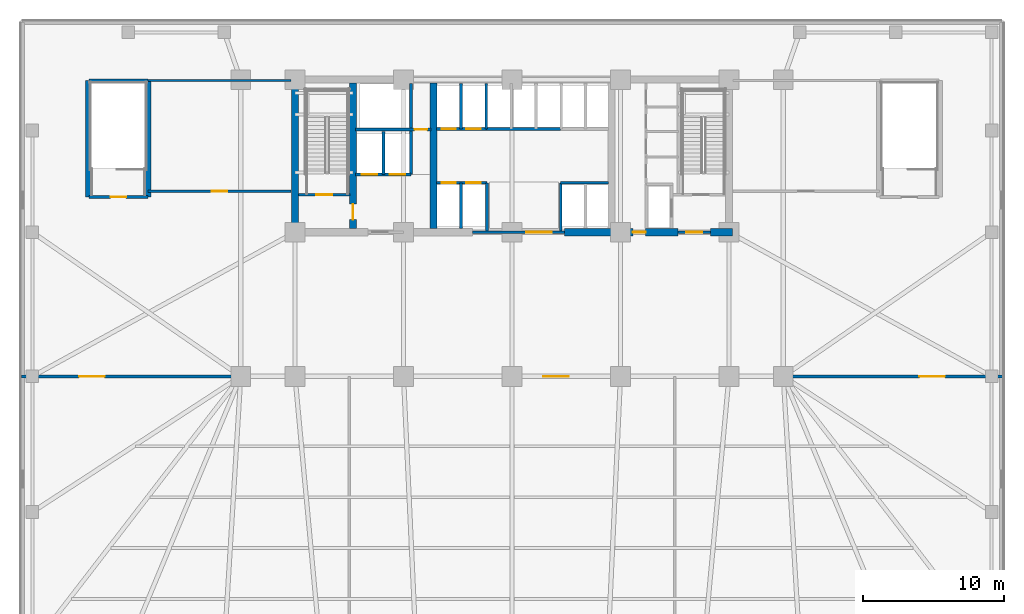
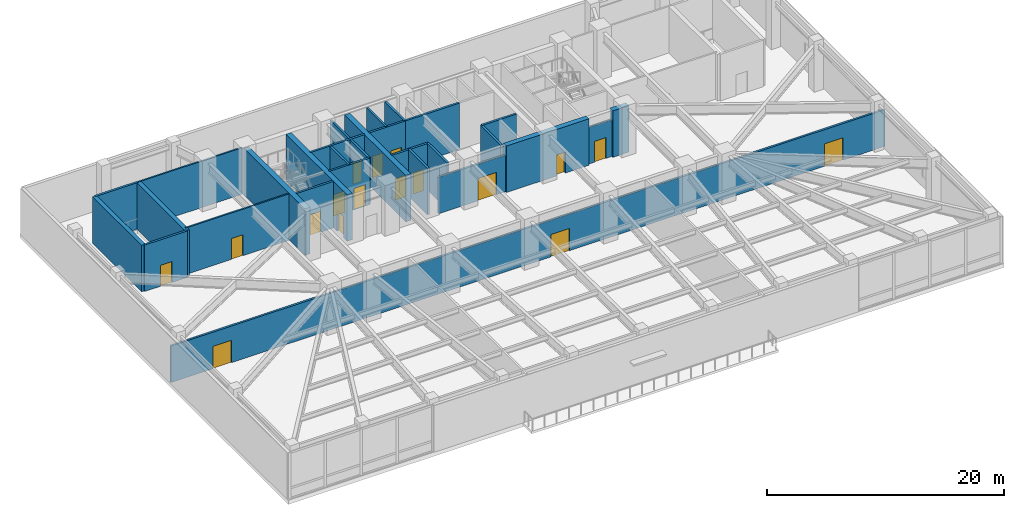
# One storey, part 8 of 15: 28 walls, 17 doors, 17 openings.
"""IFC4 building model written with IfcOpenShell, lengths in metres."""

from ifc_helpers import new_model, si_unit, direction, frame, frame_2d, origin, place, context, subcontext, project, spatial, rectangle, extrude, material, layer, layer_set, type_object, element, fill, save


model = new_model("IFC4")

# Units and contexts
model_context = context("Model", 3, precision=1e-05, world=origin(), true_north=direction((0.0, 1.0)))
body_context = subcontext(model_context, "Body", "Model", "MODEL_VIEW")
ifc_project = project(units=[si_unit("LENGTHUNIT", "METRE"), si_unit("AREAUNIT", "SQUARE_METRE"), si_unit("VOLUMEUNIT", "CUBIC_METRE"), si_unit("PLANEANGLEUNIT", "RADIAN"), si_unit("MASSUNIT", "GRAM", prefix="KILO")], contexts=[model_context])

# Site, building, storey
site_placement = place(None, origin())
site = spatial("IfcSite", under=ifc_project, at=site_placement, CompositionType="ELEMENT")
building_placement = place(site_placement, origin())
building = spatial("IfcBuilding", under=site, at=building_placement, Name="Yelkora Congress Tower", CompositionType="ELEMENT")
storey_placement = place(building_placement, frame((0.0, 0.0, 25.199951171875)))
storey = spatial("IfcBuildingStorey", under=building, at=storey_placement, Name="L05", CompositionType="ELEMENT", Elevation=25.199951171875)

# Walls
ifc_material_1 = material(Name="Concrete C50/60", Category="concrete")
ifc_layer_1 = layer(ifc_material_1, 0.39990234375)
ifc_layer_set_1 = layer_set([ifc_layer_1], Name="Concrete C50/60")
wall_type_1 = type_object("IfcWallType", Name="WALL-CORE-INT-400", PredefinedType="SHEAR", material=ifc_layer_set_1)
for number, where, z_axis, x_axis, name in (
    (1, (8.39990234375, 37.89990234375, 0.0), (0.0, 0.0, 1.0), (0.0, 1.0, 0.0), "L05 STP1 West Shear Wall"),
    (2, (12.659912109375, 37.89990234375, 0.0), (0.0, 0.0, 1.0), (0.0, 1.0, 0.0), "L05 STP1 East Shear Wall"),
):
    element("IfcWall", number, at=place(storey_placement, frame(where, z_axis=z_axis, x_axis=x_axis)), inside=storey, type_object=wall_type_1, Name=name, PredefinedType="SHEAR", context=body_context, shape_type="SweptSolid", body=[
        extrude(rectangle(XDim=8.25, YDim=0.39990234375, at=frame_2d((4.125, 0.0))), origin(), (0.0, 0.0, 1.0), 4.780029296875),
    ])

# Wall, opening, door
ifc_material_2 = material(Name="Concrete C60/75", Category="concrete")
ifc_layer_2 = layer(ifc_material_2, 0.5)
ifc_layer_set_2 = layer_set([ifc_layer_2], Name="Concrete C60/75")
wall_type_2 = type_object("IfcWallType", Name="WALL-CORE-INT-500", PredefinedType="SHEAR", material=ifc_layer_set_2)
wall_1_placement = place(storey_placement, frame((42.10009765625, 35.39990234375, 0.0), z_axis=(0.0, 0.0, 1.0), x_axis=(1.0, 0.0, 0.0)))
wall_1 = element("IfcWall", 3, at=wall_1_placement, inside=storey, type_object=wall_type_2, Name="L05 Rear Core South-East Shear Wall A", PredefinedType="SHEAR", context=body_context, shape_type="SweptSolid", body=[
    extrude(rectangle(XDim=8.0498046875, YDim=0.5, at=frame_2d((4.02490234375, 0.0))), origin(), (0.0, 0.0, 1.0), 4.780029296875),
])
opening_1_placement = place(wall_1_placement, frame((4.85009765625, 0.0, 0.0)))
opening_1 = element("IfcOpeningElement", 4, at=opening_1_placement, cuts=wall_1, Name="Opening DR-090F6", PredefinedType="OPENING", context=body_context, shape_type="SweptSolid", body=[
    extrude(rectangle(XDim=0.89990234375, YDim=2.14990234375, at=frame_2d((0.449951171875, 1.074951171875))), frame((0.0, 0.260009765625, 0.0), z_axis=(0.0, -1.0, 0.0), x_axis=(1.0, 0.0, 0.0)), (0.0, 0.0, 1.0), 0.52001953125),
])
ifc_material_3 = material(Name="Painted steel riser fire door leaf", Category="steel")
door_type_1 = type_object("IfcDoorType", Name="DOOR-FD60-900", OperationType="NOTDEFINED", PredefinedType="DOOR", material=ifc_material_3)
door_1_placement = place(opening_1_placement, origin())
door_1 = element("IfcDoor", 5, at=door_1_placement, inside=storey, type_object=door_type_1, Name="L05 Core Washroom Lobby Door", OperationType="SINGLE_SWING_RIGHT", OverallHeight=2.14990234375, OverallWidth=0.89990234375, PredefinedType="DOOR", context=body_context, shape_type="SweptSolid", body=[
    extrude(rectangle(XDim=0.89990234375, YDim=2.14990234375, at=frame_2d((0.449951171875, 1.074951171875))), frame((0.0, 0.02490234375, 0.0), z_axis=(0.0, -1.0, 0.0), x_axis=(1.0, 0.0, 0.0)), (0.0, 0.0, 1.0), 0.050048828125),
])
fill(opening_1, door_1)

# Walls
wall_2_placement = place(storey_placement, frame((52.449951171875, 35.39990234375, 0.0), z_axis=(0.0, 0.0, 1.0), x_axis=(1.0, 0.0, 0.0)))
element("IfcWall", 6, at=wall_2_placement, inside=storey, type_object=wall_type_2, Name="L05 Rear Core South-East Shear Wall B", PredefinedType="SHEAR", context=body_context, shape_type="SweptSolid", body=[
    extrude(rectangle(XDim=1.56005859375, YDim=0.5, at=frame_2d((0.780029296875, 0.0))), origin(), (0.0, 0.0, 1.0), 4.780029296875),
])
wall_3_placement = place(storey_placement, frame((23.0400390625, 35.64990234375, 0.0), z_axis=(0.0, 0.0, 1.0), x_axis=(0.0, 1.0, 0.0)))
element("IfcWall", 7, at=wall_3_placement, inside=storey, type_object=wall_type_2, Name="L05 Rear Core Cross Shear Wall W", PredefinedType="SHEAR", context=body_context, shape_type="SweptSolid", body=[
    extrude(rectangle(XDim=10.300048828125, YDim=0.5, at=frame_2d((5.14990234375, 0.0))), origin(), (0.0, 0.0, 1.0), 4.780029296875),
])

# Wall, opening, door
wall_4_placement = place(storey_placement, frame((27.14990234375, 35.64990234375, 0.0), z_axis=(0.0, 0.0, 1.0), x_axis=(0.0, 1.0, 0.0)))
wall_4 = element("IfcWall", 8, at=wall_4_placement, inside=storey, type_object=wall_type_2, Name="L05 Rear Core Cross Shear Wall C1", PredefinedType="SHEAR", context=body_context, shape_type="SweptSolid", body=[
    extrude(rectangle(XDim=10.300048828125, YDim=0.5, at=frame_2d((5.14990234375, 0.0))), origin(), (0.0, 0.0, 1.0), 4.780029296875),
])
opening_2_placement = place(wall_4_placement, frame((0.64990234375, 0.0, 0.0)))
opening_2 = element("IfcOpeningElement", 9, at=opening_2_placement, cuts=wall_4, Name="Opening DR-110F9", PredefinedType="OPENING", context=body_context, shape_type="SweptSolid", body=[
    extrude(rectangle(XDim=1.10009765625, YDim=2.14990234375, at=frame_2d((0.550048828125, 1.074951171875))), frame((0.0, 0.260009765625, 0.0), z_axis=(0.0, -1.0, 0.0), x_axis=(1.0, 0.0, 0.0)), (0.0, 0.0, 1.0), 0.52001953125),
])
ifc_material_4 = material(Name="Galvanised steel fire door leaf", Category="steel")
door_type_2 = type_object("IfcDoorType", Name="DOOR-FD90-1100", OperationType="NOTDEFINED", PredefinedType="DOOR", material=ifc_material_4)
door_2_placement = place(opening_2_placement, origin())
door_2 = element("IfcDoor", 10, at=door_2_placement, inside=storey, type_object=door_type_2, Name="L05 Firefighting Stair Transfer Door", OperationType="SINGLE_SWING_LEFT", OverallHeight=2.14990234375, OverallWidth=1.10009765625, PredefinedType="DOOR", context=body_context, shape_type="SweptSolid", body=[
    extrude(rectangle(XDim=1.10009765625, YDim=2.14990234375, at=frame_2d((0.550048828125, 1.074951171875))), frame((0.0, 0.02490234375, 0.0), z_axis=(0.0, -1.0, 0.0), x_axis=(1.0, 0.0, 0.0)), (0.0, 0.0, 1.0), 0.050048828125),
])
fill(opening_2, door_2)

# Wall
wall_5_placement = place(storey_placement, frame((32.85009765625, 35.64990234375, 0.0), z_axis=(0.0, 0.0, 1.0), x_axis=(0.0, 1.0, 0.0)))
element("IfcWall", 11, at=wall_5_placement, inside=storey, type_object=wall_type_2, Name="L05 Rear Core Cross Shear Wall C2", PredefinedType="SHEAR", context=body_context, shape_type="SweptSolid", body=[
    extrude(rectangle(XDim=10.300048828125, YDim=0.5, at=frame_2d((5.14990234375, 0.0))), origin(), (0.0, 0.0, 1.0), 4.780029296875),
])

# Wall, opening, door
ifc_material_5 = material(Name="Acoustic metal-stud gypsum partition", Category="gypsum")
ifc_layer_3 = layer(ifc_material_5, 0.14990234375)
ifc_layer_set_3 = layer_set([ifc_layer_3], Name="Acoustic metal-stud gypsum partition")
wall_type_3 = type_object("IfcWallType", Name="WALL-INT-150-NR", PredefinedType="PARTITIONING", material=ifc_layer_set_3)
wall_6_placement = place(storey_placement, frame((12.64990234375, 38.300048828125, 0.0), z_axis=(0.0, 0.0, 1.0), x_axis=(1.0, 0.0, 0.0)))
wall_6 = element("IfcWall", 12, at=wall_6_placement, inside=storey, type_object=wall_type_3, Name="L05 Partition Wall 36", PredefinedType="PARTITIONING", context=body_context, shape_type="SweptSolid", body=[
    extrude(rectangle(XDim=10.10009765625, YDim=0.14990234375, at=frame_2d((5.050048828125, 0.0))), origin(), (0.0, 0.0, 1.0), 4.780029296875),
])
opening_3_placement = place(wall_6_placement, frame((4.5, 0.0, 0.0)))
opening_3 = element("IfcOpeningElement", 13, at=opening_3_placement, cuts=wall_6, Name="Opening DR-110N", PredefinedType="OPENING", context=body_context, shape_type="SweptSolid", body=[
    extrude(rectangle(XDim=1.10009765625, YDim=2.14990234375, at=frame_2d((0.550048828125, 1.074951171875))), frame((0.0, 0.0849609375, 0.0), z_axis=(0.0, -1.0, 0.0), x_axis=(1.0, 0.0, 0.0)), (0.0, 0.0, 1.0), 0.169921875),
])
ifc_material_6 = material(Name="Solid-core Anatolian oak veneer door", Category="wood")
door_type_3 = type_object("IfcDoorType", Name="DOOR-INT-1100", OperationType="NOTDEFINED", PredefinedType="DOOR", material=ifc_material_6)
door_3_placement = place(opening_3_placement, origin())
door_3 = element("IfcDoor", 14, at=door_3_placement, inside=storey, type_object=door_type_3, Name="L05 Interior Door 20", OperationType="SINGLE_SWING_RIGHT", OverallHeight=2.14990234375, OverallWidth=1.10009765625, PredefinedType="DOOR", context=body_context, shape_type="SweptSolid", body=[
    extrude(rectangle(XDim=1.10009765625, YDim=2.14990234375, at=frame_2d((0.550048828125, 1.074951171875))), frame((0.0, 0.02490234375, 0.0), z_axis=(0.0, -1.0, 0.0), x_axis=(1.0, 0.0, 0.0)), (0.0, 0.0, 1.0), 0.050048828125),
])
fill(opening_3, door_3)

# Wall
wall_7_placement = place(storey_placement, frame((12.64990234375, 46.14990234375, 0.0), z_axis=(0.0, 0.0, 1.0), x_axis=(1.0, 0.0, 0.0)))
element("IfcWall", 15, at=wall_7_placement, inside=storey, type_object=wall_type_3, Name="L05 Partition Wall 37", PredefinedType="PARTITIONING", context=body_context, shape_type="SweptSolid", body=[
    extrude(rectangle(XDim=10.10009765625, YDim=0.14990234375, at=frame_2d((5.050048828125, 0.0))), origin(), (0.0, 0.0, 1.0), 4.780029296875),
])

# Wall, opening, door
ifc_material_7 = material(Name="Autoclaved aerated concrete blockwork", Category="masonry")
ifc_layer_4 = layer(ifc_material_7, 0.199951171875)
ifc_layer_set_4 = layer_set([ifc_layer_4], Name="Autoclaved aerated concrete blockwork")
wall_type_4 = type_object("IfcWallType", Name="WALL-INT-200-R120", PredefinedType="PARTITIONING", material=ifc_layer_set_4)
wall_8_placement = place(storey_placement, frame((23.300048828125, 38.050048828125, 0.0), z_axis=(0.0, 0.0, 1.0), x_axis=(1.0, 0.0, 0.0)))
wall_8 = element("IfcWall", 16, at=wall_8_placement, inside=storey, type_object=wall_type_4, Name="L05 Stair ST-01 Enclosure Wall", PredefinedType="PARTITIONING", context=body_context, shape_type="SweptSolid", body=[
    extrude(rectangle(XDim=3.619873046875, YDim=0.199951171875, at=frame_2d((1.81005859375, 0.0))), origin(), (0.0, 0.0, 1.0), 4.780029296875),
])
opening_4_placement = place(wall_8_placement, frame((1.260009765625, 0.0, 0.0)))
opening_4 = element("IfcOpeningElement", 17, at=opening_4_placement, cuts=wall_8, Name="Opening DR-110F9", PredefinedType="OPENING", context=body_context, shape_type="SweptSolid", body=[
    extrude(rectangle(XDim=1.10009765625, YDim=2.14990234375, at=frame_2d((0.550048828125, 1.074951171875))), frame((0.0, 0.10986328125, 0.0), z_axis=(0.0, -1.0, 0.0), x_axis=(1.0, 0.0, 0.0)), (0.0, 0.0, 1.0), 0.219970703125),
])
door_4_placement = place(opening_4_placement, origin())
door_4 = element("IfcDoor", 18, at=door_4_placement, inside=storey, type_object=door_type_2, Name="L05 Stair ST-01 Entry Door", OperationType="SINGLE_SWING_LEFT", OverallHeight=2.14990234375, OverallWidth=1.10009765625, PredefinedType="DOOR", context=body_context, shape_type="SweptSolid", body=[
    extrude(rectangle(XDim=1.10009765625, YDim=2.14990234375, at=frame_2d((0.550048828125, 1.074951171875))), frame((0.0, 0.02490234375, 0.0), z_axis=(0.0, -1.0, 0.0), x_axis=(1.0, 0.0, 0.0)), (0.0, 0.0, 1.0), 0.050048828125),
])
fill(opening_4, door_4)

# Wall, openings, doors
wall_9_placement = place(storey_placement, frame((27.320068359375, 39.47998046875, 0.0), z_axis=(0.0, 0.0, 1.0), x_axis=(1.0, 0.0, 0.0)))
wall_9 = element("IfcWall", 19, at=wall_9_placement, inside=storey, type_object=wall_type_4, Name="L05 Firefighting Lift Front Wall", PredefinedType="PARTITIONING", context=body_context, shape_type="SweptSolid", body=[
    extrude(rectangle(XDim=3.93994140625, YDim=0.199951171875, at=frame_2d((1.969970703125, 0.0))), origin(), (0.0, 0.0, 1.0), 4.780029296875),
])
opening_5_placement = place(wall_9_placement, frame((0.449951171875, 0.0, 0.0)))
opening_5 = element("IfcOpeningElement", 20, at=opening_5_placement, cuts=wall_9, Name="Opening LD-FF11", PredefinedType="OPENING", context=body_context, shape_type="SweptSolid", body=[
    extrude(rectangle(XDim=1.10009765625, YDim=2.199951171875, at=frame_2d((0.550048828125, 1.10009765625))), frame((0.0, 0.10986328125, 0.0), z_axis=(0.0, -1.0, 0.0), x_axis=(1.0, 0.0, 0.0)), (0.0, 0.0, 1.0), 0.219970703125),
])
opening_6_placement = place(wall_9_placement, frame((2.409912109375, 0.0, 0.0)))
opening_6 = element("IfcOpeningElement", 21, at=opening_6_placement, cuts=wall_9, Name="Opening LD-FF11", PredefinedType="OPENING", context=body_context, shape_type="SweptSolid", body=[
    extrude(rectangle(XDim=1.10009765625, YDim=2.199951171875, at=frame_2d((0.550048828125, 1.10009765625))), frame((0.0, 0.10986328125, 0.0), z_axis=(0.0, -1.0, 0.0), x_axis=(1.0, 0.0, 0.0)), (0.0, 0.0, 1.0), 0.219970703125),
])
ifc_material_8 = material(Name="Brushed stainless steel 316L landing door", Category="steel")
door_type_4 = type_object("IfcDoorType", Name="DOOR-LIFT-FF-1100", OperationType="DOUBLE_DOOR_SLIDING", PredefinedType="DOOR", material=ifc_material_8)
door_5_placement = place(opening_5_placement, origin())
door_5 = element("IfcDoor", 22, at=door_5_placement, inside=storey, type_object=door_type_4, Name="Lift Landing Door LF-FF1 L05", OperationType="DOUBLE_DOOR_SLIDING", OverallHeight=2.199951171875, OverallWidth=1.10009765625, PredefinedType="DOOR", context=body_context, shape_type="SweptSolid", body=[
    extrude(rectangle(XDim=1.10009765625, YDim=2.199951171875, at=frame_2d((0.550048828125, 1.10009765625))), frame((0.0, 0.02490234375, 0.0), z_axis=(0.0, -1.0, 0.0), x_axis=(1.0, 0.0, 0.0)), (0.0, 0.0, 1.0), 0.050048828125),
])
fill(opening_5, door_5)
door_6_placement = place(opening_6_placement, origin())
door_6 = element("IfcDoor", 23, at=door_6_placement, inside=storey, type_object=door_type_4, Name="Lift Landing Door LF-FF2 L05", OperationType="DOUBLE_DOOR_SLIDING", OverallHeight=2.199951171875, OverallWidth=1.10009765625, PredefinedType="DOOR", context=body_context, shape_type="SweptSolid", body=[
    extrude(rectangle(XDim=1.10009765625, YDim=2.199951171875, at=frame_2d((0.550048828125, 1.10009765625))), frame((0.0, 0.02490234375, 0.0), z_axis=(0.0, -1.0, 0.0), x_axis=(1.0, 0.0, 0.0)), (0.0, 0.0, 1.0), 0.050048828125),
])
fill(opening_6, door_6)

# Walls
wall_10_placement = place(storey_placement, frame((29.300048828125, 39.47998046875, 0.0), z_axis=(0.0, 0.0, 1.0), x_axis=(0.0, 1.0, 0.0)))
element("IfcWall", 24, at=wall_10_placement, inside=storey, type_object=wall_type_4, Name="L05 Partition Wall 4", PredefinedType="PARTITIONING", context=body_context, shape_type="SweptSolid", body=[
    extrude(rectangle(XDim=3.070068359375, YDim=0.199951171875, at=frame_2d((1.53515625, 0.0))), origin(), (0.0, 0.0, 1.0), 4.780029296875),
])
wall_11_placement = place(storey_placement, frame((31.260009765625, 39.47998046875, 0.0), z_axis=(0.0, 0.0, 1.0), x_axis=(0.0, 1.0, 0.0)))
element("IfcWall", 25, at=wall_11_placement, inside=storey, type_object=wall_type_4, Name="L05 Partition Wall 5", PredefinedType="PARTITIONING", context=body_context, shape_type="SweptSolid", body=[
    extrude(rectangle(XDim=6.43994140625, YDim=0.199951171875, at=frame_2d((3.219970703125, 0.0))), origin(), (0.0, 0.0, 1.0), 4.780029296875),
])

# Wall, opening, door
wall_12_placement = place(storey_placement, frame((27.320068359375, 42.679931640625, 0.0), z_axis=(0.0, 0.0, 1.0), x_axis=(1.0, 0.0, 0.0)))
wall_12 = element("IfcWall", 26, at=wall_12_placement, inside=storey, type_object=wall_type_4, Name="L05 Smoke Riser South Wall", PredefinedType="PARTITIONING", context=body_context, shape_type="SweptSolid", body=[
    extrude(rectangle(XDim=5.329833984375, YDim=0.199951171875, at=frame_2d((2.6650390625, 0.0))), origin(), (0.0, 0.0, 1.0), 4.780029296875),
])
opening_7_placement = place(wall_12_placement, frame((4.179931640625, 0.0, 0.0)))
opening_7 = element("IfcOpeningElement", 27, at=opening_7_placement, cuts=wall_12, Name="Opening DR-090F6", PredefinedType="OPENING", context=body_context, shape_type="SweptSolid", body=[
    extrude(rectangle(XDim=0.89990234375, YDim=2.14990234375, at=frame_2d((0.449951171875, 1.074951171875))), frame((0.0, 0.10986328125, 0.0), z_axis=(0.0, -1.0, 0.0), x_axis=(1.0, 0.0, 0.0)), (0.0, 0.0, 1.0), 0.219970703125),
])
door_7_placement = place(opening_7_placement, origin())
door_7 = element("IfcDoor", 28, at=door_7_placement, inside=storey, type_object=door_type_1, Name="L05 Riser Access Door", OperationType="SINGLE_SWING_LEFT", OverallHeight=2.14990234375, OverallWidth=0.89990234375, PredefinedType="DOOR", context=body_context, shape_type="SweptSolid", body=[
    extrude(rectangle(XDim=0.89990234375, YDim=2.14990234375, at=frame_2d((0.449951171875, 1.074951171875))), frame((0.0, 0.02490234375, 0.0), z_axis=(0.0, -1.0, 0.0), x_axis=(1.0, 0.0, 0.0)), (0.0, 0.0, 1.0), 0.050048828125),
])
fill(opening_7, door_7)

wall_13_placement = place(storey_placement, frame((35.60009765625, 35.39990234375, 0.0), z_axis=(0.0, 0.0, 1.0), x_axis=(1.0, 0.0, 0.0)))
wall_13 = element("IfcWall", 29, at=wall_13_placement, inside=storey, type_object=wall_type_4, Name="L05 Main Lift Lobby South Portal Wall", PredefinedType="PARTITIONING", context=body_context, shape_type="SweptSolid", body=[
    extrude(rectangle(XDim=6.5, YDim=0.199951171875, at=frame_2d((3.25, 0.0))), origin(), (0.0, 0.0, 1.0), 3.76708984375),
])
opening_8_placement = place(wall_13_placement, frame((3.800048828125, 0.0, 0.0)))
opening_8 = element("IfcOpeningElement", 30, at=opening_8_placement, cuts=wall_13, Name="Opening DR-180D", PredefinedType="OPENING", context=body_context, shape_type="SweptSolid", body=[
    extrude(rectangle(XDim=1.800048828125, YDim=2.300048828125, at=frame_2d((0.89990234375, 1.14990234375))), frame((0.0, 0.10986328125, 0.0), z_axis=(0.0, -1.0, 0.0), x_axis=(1.0, 0.0, 0.0)), (0.0, 0.0, 1.0), 0.219970703125),
])
ifc_material_9 = material(Name="Acoustic double congress hall doors", Category="wood")
door_type_5 = type_object("IfcDoorType", Name="DOOR-DBL-1800", OperationType="DOUBLE_DOOR_SINGLE_SWING", PredefinedType="DOOR", material=ifc_material_9)
door_8_placement = place(opening_8_placement, origin())
door_8 = element("IfcDoor", 31, at=door_8_placement, inside=storey, type_object=door_type_5, Name="L05 Main Lift Lobby Portal Door", OperationType="DOUBLE_DOOR_SINGLE_SWING", OverallHeight=2.300048828125, OverallWidth=1.800048828125, PredefinedType="DOOR", context=body_context, shape_type="SweptSolid", body=[
    extrude(rectangle(XDim=1.800048828125, YDim=2.300048828125, at=frame_2d((0.89990234375, 1.14990234375))), frame((0.0, 0.02490234375, 0.0), z_axis=(0.0, -1.0, 0.0), x_axis=(1.0, 0.0, 0.0)), (0.0, 0.0, 1.0), 0.050048828125),
])
fill(opening_8, door_8)

# Wall
wall_14_placement = place(storey_placement, frame((36.60009765625, 42.699951171875, 0.0), z_axis=(0.0, 0.0, 1.0), x_axis=(1.0, 0.0, 0.0)))
element("IfcWall", 32, at=wall_14_placement, inside=storey, type_object=wall_type_4, Name="L05 Partition Wall 8", PredefinedType="PARTITIONING", context=body_context, shape_type="SweptSolid", body=[
    extrude(rectangle(XDim=5.25, YDim=0.199951171875, at=frame_2d((2.625, 0.0))), origin(), (0.0, 0.0, 1.0), 4.780029296875),
])

# Wall, openings, doors
wall_15_placement = place(storey_placement, frame((33.050048828125, 38.89990234375, 0.0), z_axis=(0.0, 0.0, 1.0), x_axis=(1.0, 0.0, 0.0)))
wall_15 = element("IfcWall", 33, at=wall_15_placement, inside=storey, type_object=wall_type_4, Name="L05 Partition Wall 11", PredefinedType="PARTITIONING", context=body_context, shape_type="SweptSolid", body=[
    extrude(rectangle(XDim=3.570068359375, YDim=0.199951171875, at=frame_2d((1.78515625, 0.0))), origin(), (0.0, 0.0, 1.0), 4.780029296875),
])
opening_9_placement = place(wall_15_placement, frame((0.375, 0.0, 0.0)))
opening_9 = element("IfcOpeningElement", 34, at=opening_9_placement, cuts=wall_15, Name="Opening LD-PS10", PredefinedType="OPENING", context=body_context, shape_type="SweptSolid", body=[
    extrude(rectangle(XDim=1.0, YDim=2.199951171875, at=frame_2d((0.5, 1.10009765625))), frame((0.0, 0.10986328125, 0.0), z_axis=(0.0, -1.0, 0.0), x_axis=(1.0, 0.0, 0.0)), (0.0, 0.0, 1.0), 0.219970703125),
])
opening_10_placement = place(wall_15_placement, frame((2.125, 0.0, 0.0)))
opening_10 = element("IfcOpeningElement", 35, at=opening_10_placement, cuts=wall_15, Name="Opening LD-PS10", PredefinedType="OPENING", context=body_context, shape_type="SweptSolid", body=[
    extrude(rectangle(XDim=1.0, YDim=2.199951171875, at=frame_2d((0.5, 1.10009765625))), frame((0.0, 0.10986328125, 0.0), z_axis=(0.0, -1.0, 0.0), x_axis=(1.0, 0.0, 0.0)), (0.0, 0.0, 1.0), 0.219970703125),
])
ifc_material_10 = material(Name="Champagne stainless steel landing door", Category="steel")
door_type_6 = type_object("IfcDoorType", Name="DOOR-LIFT-PAS-1000", OperationType="DOUBLE_DOOR_SLIDING", PredefinedType="DOOR", material=ifc_material_10)
door_9_placement = place(opening_9_placement, origin())
door_9 = element("IfcDoor", 36, at=door_9_placement, inside=storey, type_object=door_type_6, Name="Lift Landing Door LF-P1 L05", OperationType="DOUBLE_DOOR_SLIDING", OverallHeight=2.199951171875, OverallWidth=1.0, PredefinedType="DOOR", context=body_context, shape_type="SweptSolid", body=[
    extrude(rectangle(XDim=1.0, YDim=2.199951171875, at=frame_2d((0.5, 1.10009765625))), frame((0.0, 0.02490234375, 0.0), z_axis=(0.0, -1.0, 0.0), x_axis=(1.0, 0.0, 0.0)), (0.0, 0.0, 1.0), 0.050048828125),
])
fill(opening_9, door_9)
door_10_placement = place(opening_10_placement, origin())
door_10 = element("IfcDoor", 37, at=door_10_placement, inside=storey, type_object=door_type_6, Name="Lift Landing Door LF-P2 L05", OperationType="DOUBLE_DOOR_SLIDING", OverallHeight=2.199951171875, OverallWidth=1.0, PredefinedType="DOOR", context=body_context, shape_type="SweptSolid", body=[
    extrude(rectangle(XDim=1.0, YDim=2.199951171875, at=frame_2d((0.5, 1.10009765625))), frame((0.0, 0.02490234375, 0.0), z_axis=(0.0, -1.0, 0.0), x_axis=(1.0, 0.0, 0.0)), (0.0, 0.0, 1.0), 0.050048828125),
])
fill(opening_10, door_10)

wall_16_placement = place(storey_placement, frame((33.050048828125, 42.699951171875, 0.0), z_axis=(0.0, 0.0, 1.0), x_axis=(1.0, 0.0, 0.0)))
wall_16 = element("IfcWall", 38, at=wall_16_placement, inside=storey, type_object=wall_type_4, Name="L05 Partition Wall 12", PredefinedType="PARTITIONING", context=body_context, shape_type="SweptSolid", body=[
    extrude(rectangle(XDim=3.570068359375, YDim=0.199951171875, at=frame_2d((1.78515625, 0.0))), origin(), (0.0, 0.0, 1.0), 4.780029296875),
])
opening_11_placement = place(wall_16_placement, frame((0.375, 0.0, 0.0)))
opening_11 = element("IfcOpeningElement", 39, at=opening_11_placement, cuts=wall_16, Name="Opening LD-PS10", PredefinedType="OPENING", context=body_context, shape_type="SweptSolid", body=[
    extrude(rectangle(XDim=1.0, YDim=2.199951171875, at=frame_2d((0.5, 1.10009765625))), frame((0.0, 0.10986328125, 0.0), z_axis=(0.0, -1.0, 0.0), x_axis=(1.0, 0.0, 0.0)), (0.0, 0.0, 1.0), 0.219970703125),
])
opening_12_placement = place(wall_16_placement, frame((2.125, 0.0, 0.0)))
opening_12 = element("IfcOpeningElement", 40, at=opening_12_placement, cuts=wall_16, Name="Opening LD-PS10", PredefinedType="OPENING", context=body_context, shape_type="SweptSolid", body=[
    extrude(rectangle(XDim=1.0, YDim=2.199951171875, at=frame_2d((0.5, 1.10009765625))), frame((0.0, 0.10986328125, 0.0), z_axis=(0.0, -1.0, 0.0), x_axis=(1.0, 0.0, 0.0)), (0.0, 0.0, 1.0), 0.219970703125),
])
door_11_placement = place(opening_11_placement, origin())
door_11 = element("IfcDoor", 41, at=door_11_placement, inside=storey, type_object=door_type_6, Name="Lift Landing Door LF-P3 L05", OperationType="DOUBLE_DOOR_SLIDING", OverallHeight=2.199951171875, OverallWidth=1.0, PredefinedType="DOOR", context=body_context, shape_type="SweptSolid", body=[
    extrude(rectangle(XDim=1.0, YDim=2.199951171875, at=frame_2d((0.5, 1.10009765625))), frame((0.0, 0.02490234375, 0.0), z_axis=(0.0, -1.0, 0.0), x_axis=(1.0, 0.0, 0.0)), (0.0, 0.0, 1.0), 0.050048828125),
])
fill(opening_11, door_11)
door_12_placement = place(opening_12_placement, origin())
door_12 = element("IfcDoor", 42, at=door_12_placement, inside=storey, type_object=door_type_6, Name="Lift Landing Door LF-P4 L05", OperationType="DOUBLE_DOOR_SLIDING", OverallHeight=2.199951171875, OverallWidth=1.0, PredefinedType="DOOR", context=body_context, shape_type="SweptSolid", body=[
    extrude(rectangle(XDim=1.0, YDim=2.199951171875, at=frame_2d((0.5, 1.10009765625))), frame((0.0, 0.02490234375, 0.0), z_axis=(0.0, -1.0, 0.0), x_axis=(1.0, 0.0, 0.0)), (0.0, 0.0, 1.0), 0.050048828125),
])
fill(opening_12, door_12)

# Walls
wall_17_placement = place(storey_placement, frame((34.800048828125, 35.64990234375, 0.0), z_axis=(0.0, 0.0, 1.0), x_axis=(0.0, 1.0, 0.0)))
element("IfcWall", 43, at=wall_17_placement, inside=storey, type_object=wall_type_4, Name="L05 Partition Wall 13", PredefinedType="PARTITIONING", context=body_context, shape_type="SweptSolid", body=[
    extrude(rectangle(XDim=3.25, YDim=0.199951171875, at=frame_2d((1.625, 0.0))), origin(), (0.0, 0.0, 1.0), 4.780029296875),
])
wall_18_placement = place(storey_placement, frame((34.800048828125, 42.699951171875, 0.0), z_axis=(0.0, 0.0, 1.0), x_axis=(0.0, 1.0, 0.0)))
element("IfcWall", 44, at=wall_18_placement, inside=storey, type_object=wall_type_4, Name="L05 Partition Wall 14", PredefinedType="PARTITIONING", context=body_context, shape_type="SweptSolid", body=[
    extrude(rectangle(XDim=3.219970703125, YDim=0.199951171875, at=frame_2d((1.60986328125, 0.0))), origin(), (0.0, 0.0, 1.0), 4.780029296875),
])
wall_19_placement = place(storey_placement, frame((36.6201171875, 35.5, 0.0), z_axis=(0.0, 0.0, 1.0), x_axis=(0.0, 1.0, 0.0)))
element("IfcWall", 45, at=wall_19_placement, inside=storey, type_object=wall_type_4, Name="L05 Partition Wall 15", PredefinedType="PARTITIONING", context=body_context, shape_type="SweptSolid", body=[
    extrude(rectangle(XDim=3.39990234375, YDim=0.199951171875, at=frame_2d((1.699951171875, 0.0))), origin(), (0.0, 0.0, 1.0), 4.780029296875),
])
wall_20_placement = place(storey_placement, frame((36.580078125, 42.699951171875, 0.0), z_axis=(0.0, 0.0, 1.0), x_axis=(0.0, 1.0, 0.0)))
element("IfcWall", 46, at=wall_20_placement, inside=storey, type_object=wall_type_4, Name="L05 Partition Wall 16", PredefinedType="PARTITIONING", context=body_context, shape_type="SweptSolid", body=[
    extrude(rectangle(XDim=3.219970703125, YDim=0.199951171875, at=frame_2d((1.60986328125, 0.0))), origin(), (0.0, 0.0, 1.0), 4.780029296875),
])
wall_21_placement = place(storey_placement, frame((41.85009765625, 38.89990234375, 0.0), z_axis=(0.0, 0.0, 1.0), x_axis=(1.0, 0.0, 0.0)))
element("IfcWall", 47, at=wall_21_placement, inside=storey, type_object=wall_type_4, Name="L05 Partition Wall 17", PredefinedType="PARTITIONING", context=body_context, shape_type="SweptSolid", body=[
    extrude(rectangle(XDim=3.369873046875, YDim=0.199951171875, at=frame_2d((1.68505859375, 0.0))), origin(), (0.0, 0.0, 1.0), 4.780029296875),
])
wall_22_placement = place(storey_placement, frame((41.85009765625, 35.5, 0.0), z_axis=(0.0, 0.0, 1.0), x_axis=(0.0, 1.0, 0.0)))
element("IfcWall", 48, at=wall_22_placement, inside=storey, type_object=wall_type_4, Name="L05 Partition Wall 21", PredefinedType="PARTITIONING", context=body_context, shape_type="SweptSolid", body=[
    extrude(rectangle(XDim=3.39990234375, YDim=0.199951171875, at=frame_2d((1.699951171875, 0.0))), origin(), (0.0, 0.0, 1.0), 4.780029296875),
])

# Wall, opening, door
wall_23_placement = place(storey_placement, frame((50.14990234375, 35.39990234375, 0.0), z_axis=(0.0, 0.0, 1.0), x_axis=(1.0, 0.0, 0.0)))
wall_23 = element("IfcWall", 49, at=wall_23_placement, inside=storey, type_object=wall_type_4, Name="L05 Partition Wall 24", PredefinedType="PARTITIONING", context=body_context, shape_type="SweptSolid", body=[
    extrude(rectangle(XDim=2.300048828125, YDim=0.199951171875, at=frame_2d((1.14990234375, 0.0))), origin(), (0.0, 0.0, 1.0), 3.76708984375),
])
opening_13_placement = place(wall_23_placement, frame((0.60009765625, 0.0, 0.0)))
opening_13 = element("IfcOpeningElement", 50, at=opening_13_placement, cuts=wall_23, Name="Opening DR-110F9", PredefinedType="OPENING", context=body_context, shape_type="SweptSolid", body=[
    extrude(rectangle(XDim=1.10009765625, YDim=2.14990234375, at=frame_2d((0.550048828125, 1.074951171875))), frame((0.0, 0.10986328125, 0.0), z_axis=(0.0, -1.0, 0.0), x_axis=(1.0, 0.0, 0.0)), (0.0, 0.0, 1.0), 0.219970703125),
])
door_13_placement = place(opening_13_placement, origin())
door_13 = element("IfcDoor", 51, at=door_13_placement, inside=storey, type_object=door_type_2, Name="L05 East Stair Lobby Door", OperationType="SINGLE_SWING_RIGHT", OverallHeight=2.14990234375, OverallWidth=1.10009765625, PredefinedType="DOOR", context=body_context, shape_type="SweptSolid", body=[
    extrude(rectangle(XDim=1.10009765625, YDim=2.14990234375, at=frame_2d((0.550048828125, 1.074951171875))), frame((0.0, 0.02490234375, 0.0), z_axis=(0.0, -1.0, 0.0), x_axis=(1.0, 0.0, 0.0)), (0.0, 0.0, 1.0), 0.050048828125),
])
fill(opening_13, door_13)

wall_24_placement = place(storey_placement, frame((8.449951171875, 37.89990234375, 0.0), z_axis=(0.0, 0.0, 1.0), x_axis=(1.0, 0.0, 0.0)))
wall_24 = element("IfcWall", 52, at=wall_24_placement, inside=storey, type_object=wall_type_4, Name="L05 Partition Wall 32", PredefinedType="PARTITIONING", context=body_context, shape_type="SweptSolid", body=[
    extrude(rectangle(XDim=4.170166015625, YDim=0.199951171875, at=frame_2d((2.0849609375, 0.0))), origin(), (0.0, 0.0, 1.0), 4.780029296875),
])
opening_14_placement = place(wall_24_placement, frame((1.534912109375, 0.0, 0.0)))
opening_14 = element("IfcOpeningElement", 53, at=opening_14_placement, cuts=wall_24, Name="Opening DR-110F9", PredefinedType="OPENING", context=body_context, shape_type="SweptSolid", body=[
    extrude(rectangle(XDim=1.10009765625, YDim=2.14990234375, at=frame_2d((0.550048828125, 1.074951171875))), frame((0.0, 0.10986328125, 0.0), z_axis=(0.0, -1.0, 0.0), x_axis=(1.0, 0.0, 0.0)), (0.0, 0.0, 1.0), 0.219970703125),
])
door_14_placement = place(opening_14_placement, origin())
door_14 = element("IfcDoor", 54, at=door_14_placement, inside=storey, type_object=door_type_2, Name="L05 ST-P1 Door", OperationType="SINGLE_SWING_RIGHT", OverallHeight=2.14990234375, OverallWidth=1.10009765625, PredefinedType="DOOR", context=body_context, shape_type="SweptSolid", body=[
    extrude(rectangle(XDim=1.10009765625, YDim=2.14990234375, at=frame_2d((0.550048828125, 1.074951171875))), frame((0.0, 0.02490234375, 0.0), z_axis=(0.0, -1.0, 0.0), x_axis=(1.0, 0.0, 0.0)), (0.0, 0.0, 1.0), 0.050048828125),
])
fill(opening_14, door_14)

# Wall
wall_25_placement = place(storey_placement, frame((8.449951171875, 46.14990234375, 0.0), z_axis=(0.0, 0.0, 1.0), x_axis=(1.0, 0.0, 0.0)))
element("IfcWall", 55, at=wall_25_placement, inside=storey, type_object=wall_type_4, Name="L05 Partition Wall 33", PredefinedType="PARTITIONING", context=body_context, shape_type="SweptSolid", body=[
    extrude(rectangle(XDim=4.170166015625, YDim=0.199951171875, at=frame_2d((2.0849609375, 0.0))), origin(), (0.0, 0.0, 1.0), 4.780029296875),
])

# Wall, openings, doors
ifc_material_11 = material(Name="Autoclaved high-density acoustic blockwork", Category="masonry")
ifc_layer_5 = layer(ifc_material_11, 0.199951171875)
ifc_layer_set_5 = layer_set([ifc_layer_5], Name="Autoclaved high-density acoustic blockwork")
wall_type_5 = type_object("IfcWallType", Name="WALL-INT-200-R90", PredefinedType="PARTITIONING", material=ifc_layer_set_5)
wall_26_placement = place(storey_placement, frame((3.679931640625, 25.199951171875, 0.0), z_axis=(0.0, 0.0, 1.0), x_axis=(1.0, 0.0, 0.0)))
wall_26 = element("IfcWall", 56, at=wall_26_placement, inside=storey, type_object=wall_type_5, Name="L05 Hall Spine Wall Grid D", PredefinedType="PARTITIONING", context=body_context, shape_type="SweptSolid", body=[
    extrude(rectangle(XDim=69.440185546875, YDim=0.199951171875, at=frame_2d((34.72021484375, 0.0))), origin(), (0.0, 0.0, 1.0), 3.76708984375),
])
opening_15_placement = place(wall_26_placement, frame((4.077392578125, 0.0, 0.0)))
opening_15 = element("IfcOpeningElement", 57, at=opening_15_placement, cuts=wall_26, Name="Opening DR-180D", PredefinedType="OPENING", context=body_context, shape_type="SweptSolid", body=[
    extrude(rectangle(XDim=1.800048828125, YDim=2.300048828125, at=frame_2d((0.89990234375, 1.14990234375))), frame((0.0, 0.10986328125, 0.0), z_axis=(0.0, -1.0, 0.0), x_axis=(1.0, 0.0, 0.0)), (0.0, 0.0, 1.0), 0.219970703125),
])
opening_16_placement = place(wall_26_placement, frame((36.935546875, 0.0, 0.0)))
opening_16 = element("IfcOpeningElement", 58, at=opening_16_placement, cuts=wall_26, Name="Opening DR-180D", PredefinedType="OPENING", context=body_context, shape_type="SweptSolid", body=[
    extrude(rectangle(XDim=1.800048828125, YDim=2.300048828125, at=frame_2d((0.89990234375, 1.14990234375))), frame((0.0, 0.10986328125, 0.0), z_axis=(0.0, -1.0, 0.0), x_axis=(1.0, 0.0, 0.0)), (0.0, 0.0, 1.0), 0.219970703125),
])
opening_17_placement = place(wall_26_placement, frame((63.5625, 0.0, 0.0)))
opening_17 = element("IfcOpeningElement", 59, at=opening_17_placement, cuts=wall_26, Name="Opening DR-180D", PredefinedType="OPENING", context=body_context, shape_type="SweptSolid", body=[
    extrude(rectangle(XDim=1.800048828125, YDim=2.300048828125, at=frame_2d((0.89990234375, 1.14990234375))), frame((0.0, 0.10986328125, 0.0), z_axis=(0.0, -1.0, 0.0), x_axis=(1.0, 0.0, 0.0)), (0.0, 0.0, 1.0), 0.219970703125),
])
door_15_placement = place(opening_15_placement, origin())
door_15 = element("IfcDoor", 60, at=door_15_placement, inside=storey, type_object=door_type_5, Name="L05 Congress Mezzanine Gallery Entrance Door", OperationType="DOUBLE_DOOR_SINGLE_SWING", OverallHeight=2.300048828125, OverallWidth=1.800048828125, PredefinedType="DOOR", context=body_context, shape_type="SweptSolid", body=[
    extrude(rectangle(XDim=1.800048828125, YDim=2.300048828125, at=frame_2d((0.89990234375, 1.14990234375))), frame((0.0, 0.02490234375, 0.0), z_axis=(0.0, -1.0, 0.0), x_axis=(1.0, 0.0, 0.0)), (0.0, 0.0, 1.0), 0.050048828125),
])
fill(opening_15, door_15)
door_16_placement = place(opening_16_placement, origin())
door_16 = element("IfcDoor", 61, at=door_16_placement, inside=storey, type_object=door_type_5, Name="L05 Delegate Dining Restaurant Entrance Door", OperationType="DOUBLE_DOOR_SINGLE_SWING", OverallHeight=2.300048828125, OverallWidth=1.800048828125, PredefinedType="DOOR", context=body_context, shape_type="SweptSolid", body=[
    extrude(rectangle(XDim=1.800048828125, YDim=2.300048828125, at=frame_2d((0.89990234375, 1.14990234375))), frame((0.0, 0.02490234375, 0.0), z_axis=(0.0, -1.0, 0.0), x_axis=(1.0, 0.0, 0.0)), (0.0, 0.0, 1.0), 0.050048828125),
])
fill(opening_16, door_16)
door_17_placement = place(opening_17_placement, origin())
door_17 = element("IfcDoor", 62, at=door_17_placement, inside=storey, type_object=door_type_5, Name="L05 Private Summit Dining Room Entrance Door", OperationType="DOUBLE_DOOR_SINGLE_SWING", OverallHeight=2.300048828125, OverallWidth=1.800048828125, PredefinedType="DOOR", context=body_context, shape_type="SweptSolid", body=[
    extrude(rectangle(XDim=1.800048828125, YDim=2.300048828125, at=frame_2d((0.89990234375, 1.14990234375))), frame((0.0, 0.02490234375, 0.0), z_axis=(0.0, -1.0, 0.0), x_axis=(1.0, 0.0, 0.0)), (0.0, 0.0, 1.0), 0.050048828125),
])
fill(opening_17, door_17)

save(model, "model.ifc")
